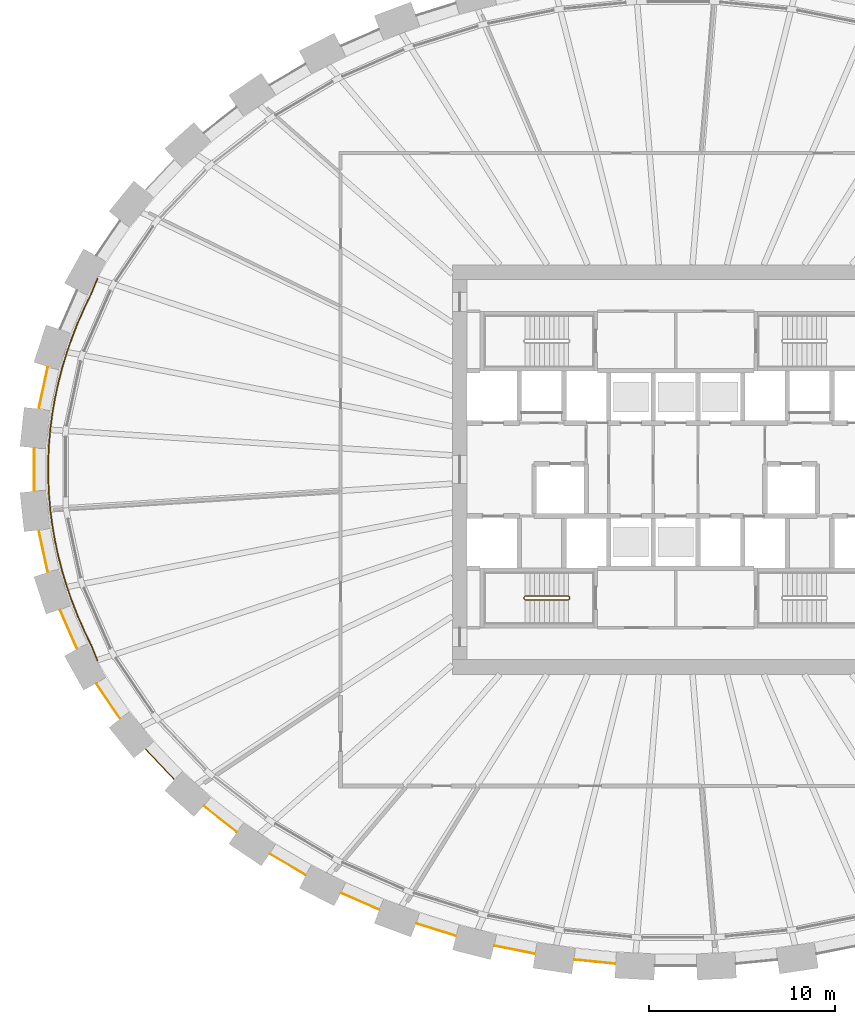
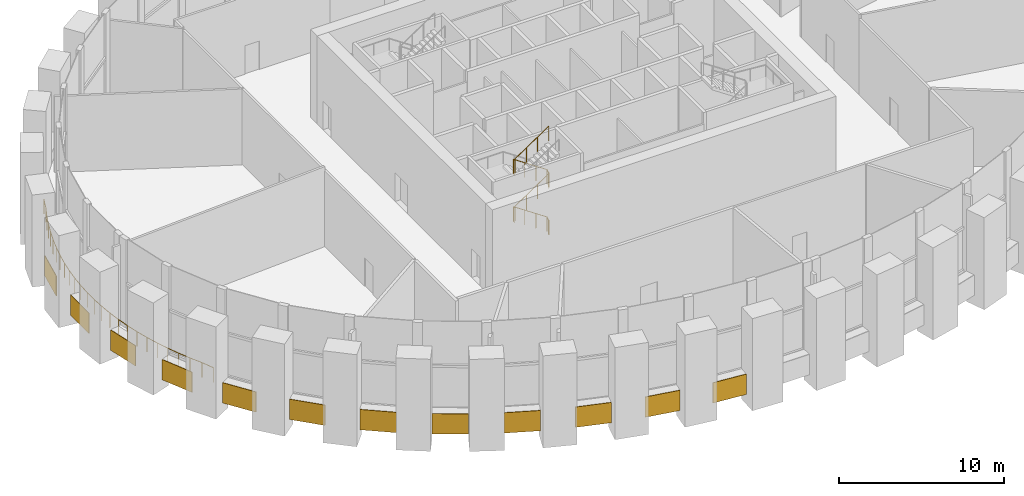
# One storey, part 12 of 16: 12 coverings, 2 railings.
"""IFC4 building model written with IfcOpenShell, lengths in metres."""

import ifcopenshell
import ifcopenshell.guid

model = None  # the IFC model being written
_history = None  # IfcOwnerHistory: only IFC2X3 demands one
_inside = {}  # id of a spatial element -> (the spatial element, [elements in it])
_under = {}  # id of a project, library or spatial element -> (it, [spatial elements below it])
_declared = {}  # id of a project -> (the project, [libraries it declares])
_typed = {}  # id of a type object -> (the type object, [elements of that type])
_made_of = {}  # id of a material, layer set ... -> (it, [elements and type objects made of it])


def new_model(schema):
    """Start an empty IFC model of exactly this schema.

    Asked for "IFC4X3", IfcOpenShell would pick the latest addendum, in which some entities
    have other attributes; the version numbers below select the first issue.
    IFC2X3 requires an IfcOwnerHistory on every rooted entity: one is made here for all.
    """
    global model, _history
    if schema == "IFC4X3":
        model = ifcopenshell.file(schema_version=(4, 3, 0, 0))
    else:
        model = ifcopenshell.file(schema=schema)
    _inside.clear()
    _under.clear()
    _declared.clear()
    _typed.clear()
    _made_of.clear()
    _history = None
    if model.schema == "IFC2X3":
        org = make("IfcOrganization", Name="unknown")
        user = make(
            "IfcPersonAndOrganization",
            ThePerson=make("IfcPerson", FamilyName="unknown"),
            TheOrganization=org,
        )
        app = make(
            "IfcApplication",
            ApplicationDeveloper=org,
            Version="unknown",
            ApplicationFullName="unknown",
            ApplicationIdentifier="unknown",
        )
        _history = make(
            "IfcOwnerHistory",
            OwningUser=user,
            OwningApplication=app,
            ChangeAction="ADDED",
            CreationDate=0,
        )
    return model


def make(cls, **values):
    """One entity of the class cls with the attributes given. An attribute that is None is left unset."""
    return model.create_entity(
        cls, **{name: value for name, value in values.items() if value is not None}
    )


def rooted(cls, **values):
    """An entity with a GlobalId (a new one), such as an element, a storey or a relation."""
    return make(cls, GlobalId=ifcopenshell.guid.new(), OwnerHistory=_history, **values)


def si_unit(unit_type, name, prefix=None):
    """IfcSIUnit, for example si_unit("LENGTHUNIT", "METRE", prefix="MILLI")."""
    return make("IfcSIUnit", UnitType=unit_type, Prefix=prefix, Name=name)


def assignment(units):
    """IfcUnitAssignment: the units of a project."""
    return None if units is None else make("IfcUnitAssignment", Units=units)


def point(xyz):
    """IfcCartesianPoint."""
    return None if xyz is None else make("IfcCartesianPoint", Coordinates=xyz)


def direction(xyz):
    """IfcDirection."""
    return None if xyz is None else make("IfcDirection", DirectionRatios=xyz)


def frame(location, z_axis=None, x_axis=None):
    """IfcAxis2Placement3D, a coordinate frame: its origin and axes. An axis left out is left unset."""
    return make(
        "IfcAxis2Placement3D",
        Location=point(location),
        Axis=direction(z_axis),
        RefDirection=direction(x_axis),
    )


def frame_2d(location, x_axis=None):
    """IfcAxis2Placement2D, a coordinate frame in the plane: its origin and x axis."""
    return make(
        "IfcAxis2Placement2D", Location=point(location), RefDirection=direction(x_axis)
    )


def origin():
    """The frame at (0, 0, 0) with its axes left unset."""
    return frame((0.0, 0.0, 0.0))


def origin_2d():
    """The frame at (0, 0) in the plane with its x axis left unset."""
    return frame_2d((0.0, 0.0))


def place(relative_to, where):
    """IfcLocalPlacement: puts the frame where relative to a parent placement (None: the world)."""
    return make(
        "IfcLocalPlacement", PlacementRelTo=relative_to, RelativePlacement=where
    )


def context(
    kind, dimensions, precision=None, world=None, true_north=None, identifier=None
):
    """IfcGeometricRepresentationContext, for example the 3D "Model" context."""
    return make(
        "IfcGeometricRepresentationContext",
        ContextIdentifier=identifier,
        ContextType=kind,
        CoordinateSpaceDimension=dimensions,
        Precision=precision,
        WorldCoordinateSystem=world,
        TrueNorth=true_north,
    )


def subcontext(parent, identifier, kind, view, scale=None):
    """IfcGeometricRepresentationSubContext, for example "Body" below "Model"."""
    return make(
        "IfcGeometricRepresentationSubContext",
        ContextIdentifier=identifier,
        ContextType=kind,
        ParentContext=parent,
        TargetScale=scale,
        TargetView=view,
    )


def project(units=None, contexts=None):
    """IfcProject with its units and contexts."""
    return rooted(
        "IfcProject",
        Name="project",
        RepresentationContexts=contexts,
        UnitsInContext=assignment(units),
    )


def spatial(cls, under=None, at=None, **own):
    """A site, building, storey or space (cls), placed at a placement, below another one or the project."""
    s = rooted(cls, ObjectPlacement=at, **own)
    if under is not None:
        _under.setdefault(under.id(), (under, []))[1].append(s)
    return s


def profile(cls, at=None, kind="AREA", **sizes):
    """A parametric profile (cls). Its sizes go by their IFC names, for example OverallWidth=200.0."""
    return make(cls, ProfileType=kind, Position=at, **sizes)


def rectangle(**sizes):
    """IfcRectangleProfileDef."""
    return profile("IfcRectangleProfileDef", **sizes)


def circle(**sizes):
    """IfcCircleProfileDef."""
    return profile("IfcCircleProfileDef", **sizes)


def extrude(swept, where, along, depth):
    """IfcExtrudedAreaSolid: the profile swept, set in the frame where, extruded along a direction by depth."""
    return make(
        "IfcExtrudedAreaSolid",
        SweptArea=swept,
        Position=where,
        ExtrudedDirection=direction(along),
        Depth=depth,
    )


def shape(context_of_items, identifier, shape_type, items):
    """IfcShapeRepresentation: the items that make up one representation, for example the "Body"."""
    return make(
        "IfcShapeRepresentation",
        ContextOfItems=context_of_items,
        RepresentationIdentifier=identifier,
        RepresentationType=shape_type,
        Items=items,
    )


def source(mapping_origin, context_of_items, identifier, shape_type, items):
    """IfcRepresentationMap: a shape defined once, which mapped items show again and again."""
    return make(
        "IfcRepresentationMap",
        MappingOrigin=mapping_origin,
        MappedRepresentation=shape(context_of_items, identifier, shape_type, items),
    )


def transform(
    local_origin,
    x_axis=None,
    y_axis=None,
    z_axis=None,
    scale=None,
    scale2=None,
    scale3=None,
    uniform=True,
):
    """IfcCartesianTransformationOperator3D, or its non-uniform kind. x_axis, y_axis, z_axis: its Axis1, 2, 3."""
    if uniform:
        return make(
            "IfcCartesianTransformationOperator3D",
            Axis1=direction(x_axis),
            Axis2=direction(y_axis),
            LocalOrigin=point(local_origin),
            Scale=scale,
            Axis3=direction(z_axis),
        )
    return make(
        "IfcCartesianTransformationOperator3DnonUniform",
        Axis1=direction(x_axis),
        Axis2=direction(y_axis),
        LocalOrigin=point(local_origin),
        Scale=scale,
        Axis3=direction(z_axis),
        Scale2=scale2,
        Scale3=scale3,
    )


def mapped(mapping_source, mapping_target):
    """IfcMappedItem: shows the shape of a source again, moved by a transform."""
    return make(
        "IfcMappedItem", MappingSource=mapping_source, MappingTarget=mapping_target
    )


def material(Name=None, Category=None):
    """IfcMaterial."""
    return make("IfcMaterial", Name=Name, Category=Category)


def layer(
    of_material, thickness, ventilated=None, Name=None, Category=None, Priority=None
):
    """IfcMaterialLayer: one layer of a wall or slab, of a material (None: an air gap)."""
    return make(
        "IfcMaterialLayer",
        Material=of_material,
        LayerThickness=thickness,
        IsVentilated=ventilated,
        Name=Name,
        Category=Category,
        Priority=Priority,
    )


def layer_set(layers, Name=None):
    """IfcMaterialLayerSet."""
    return make("IfcMaterialLayerSet", MaterialLayers=layers, LayerSetName=Name)


def made_of(thing, what):
    """Note that an element or type object is made of a material, layer set ...; save() writes the relation."""
    if what is not None:
        _made_of.setdefault(what.id(), (what, []))[1].append(thing)
    return thing


def type_object(cls, material=None, **own):
    """A type object (cls), such as IfcWallType, which elements share."""
    return made_of(rooted(cls, **own), material)


def element(
    cls,
    number,
    at=None,
    inside=None,
    cuts=None,
    type_object=None,
    material=None,
    context=None,
    identifier="Body",
    shape_type=None,
    held_by="IfcProductDefinitionShape",
    body=None,
    shapes=None,
    **own,
):
    """One element of the class cls, such as IfcWall. Its Tag is "e" and its number.

    at: its placement. inside: the storey or other place that contains it. cuts: it is an
    opening in that element (IfcRelVoidsElement). A single representation is given by context,
    identifier, shape_type and body (its items); several are given by shapes. held_by: the class
    of the entity that holds the representations. save() writes the other relations.
    """
    e = rooted(cls, Tag="e%d" % number, ObjectPlacement=at, **own)
    if body is not None:
        shapes = [shape(context, identifier, shape_type, body)]
    if shapes is not None:
        e.Representation = make(held_by, Representations=shapes)
    if inside is not None:
        _inside.setdefault(inside.id(), (inside, []))[1].append(e)
    if cuts is not None:
        rooted(
            "IfcRelVoidsElement", RelatingBuildingElement=cuts, RelatedOpeningElement=e
        )
    if type_object is not None:
        _typed.setdefault(type_object.id(), (type_object, []))[1].append(e)
    return made_of(e, material)


def aggregate(whole, parts):
    """IfcRelAggregates: a whole, such as a stair, and the parts it consists of."""
    return rooted("IfcRelAggregates", RelatingObject=whole, RelatedObjects=parts)


def save(model, path):
    """Write the relations noted so far, then the file.

    IfcRelAggregates (storeys below a building ...), IfcRelContainedInSpatialStructure (elements
    in a storey), IfcRelDefinesByType, IfcRelAssociatesMaterial and IfcRelDeclares: one each for
    every whole, place, type object, material and project.
    """
    for whole, parts in _under.values():
        aggregate(whole, parts)
    for where, things in _inside.values():
        rooted(
            "IfcRelContainedInSpatialStructure",
            RelatedElements=things,
            RelatingStructure=where,
        )
    for kind, things in _typed.values():
        rooted("IfcRelDefinesByType", RelatedObjects=things, RelatingType=kind)
    for what, things in _made_of.values():
        rooted("IfcRelAssociatesMaterial", RelatedObjects=things, RelatingMaterial=what)
    for by, libraries in _declared.values():
        rooted("IfcRelDeclares", RelatingContext=by, RelatedDefinitions=libraries)
    model.write(path)


model = new_model("IFC4")

# Units and contexts
model_context = context("Model", 3, precision=1e-05, world=origin(), true_north=direction((0.0, 1.0)))
body_context = subcontext(model_context, "Body", "Model", "MODEL_VIEW")
ifc_project = project(units=[si_unit("LENGTHUNIT", "METRE"), si_unit("AREAUNIT", "SQUARE_METRE"), si_unit("VOLUMEUNIT", "CUBIC_METRE"), si_unit("PLANEANGLEUNIT", "RADIAN"), si_unit("MASSUNIT", "GRAM", prefix="KILO")], contexts=[model_context])

# Site, building, storey
site_placement = place(None, origin())
site = spatial("IfcSite", under=ifc_project, at=site_placement, CompositionType="ELEMENT")
building_placement = place(site_placement, origin())
building = spatial("IfcBuilding", under=site, at=building_placement, Name="Embergate Tower", CompositionType="ELEMENT")
storey_placement = place(building_placement, frame((0.0, 0.0, 234.60009765625)))
storey = spatial("IfcBuildingStorey", under=building, at=storey_placement, Name="L54", CompositionType="ELEMENT", Elevation=234.60009765625)

# Coverings
ifc_material_1 = material(Name="Terracotta rainscreen on insulated backing", Category="masonry")
ifc_layer = layer(ifc_material_1, 0.0400390625)
ifc_layer_set = layer_set([ifc_layer], Name="Terracotta rainscreen on insulated backing")
covering_type = type_object("IfcCoveringType", Name="Terracotta rainscreen band", PredefinedType="CLADDING", material=ifc_layer_set)
shared_shape_1 = source(origin(), body_context, "Body", "SweptSolid", [
    extrude(rectangle(XDim=2.256591796875, YDim=0.0400390625, at=origin_2d()), origin(), (0.0, 0.0, 1.0), 1.5),
])
for number, where, z_axis, x_axis, name in (
    (1, (-33.97021484375, 4.387451171875, -0.75), (0.0, 0.0, 1.0), (-0.210497353256, -0.977594427292, 0.0), "Rainscreen band 21"),
    (2, (-33.97021484375, -4.387451171875, -0.75), (0.0, 0.0, 1.0), (0.210497353256, -0.977594427292, 0.0), "Rainscreen band 23"),
):
    element("IfcCovering", number, at=place(storey_placement, frame(where, z_axis=z_axis, x_axis=x_axis)), inside=storey, type_object=covering_type, Name=name, PredefinedType="CLADDING", context=body_context, shape_type="MappedRepresentation", body=[
        mapped(shared_shape_1, transform((0.0, 0.0, 0.0))),
    ])
shared_shape_2 = source(origin(), body_context, "Body", "SweptSolid", [
    extrude(rectangle(XDim=2.252685546875, YDim=0.0400390625, at=origin_2d()), origin(), (0.0, 0.0, 1.0), 1.5),
])
covering_1_placement = place(storey_placement, frame((-32.614501953125, -8.5810546875, -0.75), z_axis=(0.0, 0.0, 1.0), x_axis=(0.401727222685, -0.915759378087, 0.0)))
element("IfcCovering", 3, at=covering_1_placement, inside=storey, type_object=covering_type, Name="Rainscreen band 24", PredefinedType="CLADDING", context=body_context, shape_type="MappedRepresentation", body=[
    mapped(shared_shape_2, transform((0.0, 0.0, 0.0))),
])
shared_shape_3 = source(origin(), body_context, "Body", "SweptSolid", [
    extrude(rectangle(XDim=2.248046875, YDim=0.0400390625, at=origin_2d()), origin(), (0.0, 0.0, 1.0), 1.5),
])
covering_2_placement = place(storey_placement, frame((-30.485595703125, -12.431396484375, -0.75), z_axis=(0.0, 0.0, 1.0), x_axis=(0.562273908619, -0.826951057612, 0.0)))
element("IfcCovering", 4, at=covering_2_placement, inside=storey, type_object=covering_type, Name="Rainscreen band 25", PredefinedType="CLADDING", context=body_context, shape_type="MappedRepresentation", body=[
    mapped(shared_shape_3, transform((0.0, 0.0, 0.0))),
])
shared_shape_4 = source(origin(), body_context, "Body", "SweptSolid", [
    extrude(rectangle(XDim=2.24072265625, YDim=0.0400390625, at=origin_2d()), origin(), (0.0, 0.0, 1.0), 1.5),
])
covering_3_placement = place(storey_placement, frame((-27.7119140625, -15.83349609375, -0.75), z_axis=(0.0, 0.0, 1.0), x_axis=(0.690401506578, -0.723426402417, 0.0)))
element("IfcCovering", 5, at=covering_3_placement, inside=storey, type_object=covering_type, Name="Rainscreen band 26", PredefinedType="CLADDING", context=body_context, shape_type="MappedRepresentation", body=[
    mapped(shared_shape_4, transform((0.0, 0.0, 0.0))),
])
shared_shape_5 = source(origin(), body_context, "Body", "SweptSolid", [
    extrude(rectangle(XDim=2.23583984375, YDim=0.0400390625, at=origin_2d()), origin(), (0.0, 0.0, 1.0), 1.5),
])
covering_4_placement = place(storey_placement, frame((-24.46630859375, -18.772705078125, -0.75), z_axis=(0.0, 0.0, 1.0), x_axis=(0.788532692603, -0.614992839549, 0.0)))
element("IfcCovering", 6, at=covering_4_placement, inside=storey, type_object=covering_type, Name="Rainscreen band 27", PredefinedType="CLADDING", context=body_context, shape_type="MappedRepresentation", body=[
    mapped(shared_shape_5, transform((0.0, 0.0, 0.0))),
])
shared_shape_6 = source(origin(), body_context, "Body", "SweptSolid", [
    extrude(rectangle(XDim=2.23046875, YDim=0.0400390625, at=origin_2d()), origin(), (0.0, 0.0, 1.0), 1.5),
])
covering_5_placement = place(storey_placement, frame((-20.840576171875, -21.212890625, -0.75), z_axis=(0.0, 0.0, 1.0), x_axis=(0.862164602033, -0.506628265104, 0.0)))
element("IfcCovering", 7, at=covering_5_placement, inside=storey, type_object=covering_type, Name="Rainscreen band 28", PredefinedType="CLADDING", context=body_context, shape_type="MappedRepresentation", body=[
    mapped(shared_shape_6, transform((0.0, 0.0, 0.0))),
])
shared_shape_7 = source(origin(), body_context, "Body", "SweptSolid", [
    extrude(rectangle(XDim=2.227294921875, YDim=0.0400390625, at=origin_2d()), origin(), (0.0, 0.0, 1.0), 1.5),
])
covering_6_placement = place(storey_placement, frame((-16.95458984375, -23.1962890625, -0.75), z_axis=(0.0, 0.0, 1.0), x_axis=(0.916311714041, -0.400465782199, 0.0)))
element("IfcCovering", 8, at=covering_6_placement, inside=storey, type_object=covering_type, Name="Rainscreen band 29", PredefinedType="CLADDING", context=body_context, shape_type="MappedRepresentation", body=[
    mapped(shared_shape_7, transform((0.0, 0.0, 0.0))),
])
shared_shape_8 = source(origin(), body_context, "Body", "SweptSolid", [
    extrude(rectangle(XDim=2.2255859375, YDim=0.0400390625, at=origin_2d()), origin(), (0.0, 0.0, 1.0), 1.5),
])
covering_7_placement = place(storey_placement, frame((-12.87158203125, -24.719482421875, -0.75), z_axis=(0.0, 0.0, 1.0), x_axis=(0.954743670356, -0.297429863859, 0.0)))
element("IfcCovering", 9, at=covering_7_placement, inside=storey, type_object=covering_type, Name="Rainscreen band 30", PredefinedType="CLADDING", context=body_context, shape_type="MappedRepresentation", body=[
    mapped(shared_shape_8, transform((0.0, 0.0, 0.0))),
])
shared_shape_9 = source(origin(), body_context, "Body", "SweptSolid", [
    extrude(rectangle(XDim=2.223388671875, YDim=0.0400390625, at=origin_2d()), origin(), (0.0, 0.0, 1.0), 1.5),
])
covering_8_placement = place(storey_placement, frame((-8.65185546875, -25.79736328125, -0.75), z_axis=(0.0, 0.0, 1.0), x_axis=(0.980494092827, -0.196548553624, 0.0)))
element("IfcCovering", 10, at=covering_8_placement, inside=storey, type_object=covering_type, Name="Rainscreen band 31", PredefinedType="CLADDING", context=body_context, shape_type="MappedRepresentation", body=[
    mapped(shared_shape_9, transform((0.0, 0.0, 0.0))),
])
shared_shape_10 = source(origin(), body_context, "Body", "SweptSolid", [
    extrude(rectangle(XDim=2.2236328125, YDim=0.0400390625, at=origin_2d()), origin(), (0.0, 0.0, 1.0), 1.5),
])
covering_9_placement = place(storey_placement, frame((-4.346923828125, -26.4384765625, -0.75), z_axis=(0.0, 0.0, 1.0), x_axis=(0.995183015799, -0.098034509565, 0.0)))
element("IfcCovering", 11, at=covering_9_placement, inside=storey, type_object=covering_type, Name="Rainscreen band 32", PredefinedType="CLADDING", context=body_context, shape_type="MappedRepresentation", body=[
    mapped(shared_shape_10, transform((0.0, 0.0, 0.0))),
])
shared_shape_11 = source(origin(), body_context, "Body", "SweptSolid", [
    extrude(rectangle(XDim=2.261962890625, YDim=0.0400390625, at=origin_2d()), origin(), (0.0, 0.0, 1.0), 1.5),
])
covering_10_placement = place(storey_placement, frame((-34.45703125, 0.0, -0.75), z_axis=(0.0, 0.0, 1.0), x_axis=(0.0, -1.0, 0.0)))
element("IfcCovering", 12, at=covering_10_placement, inside=storey, type_object=covering_type, Name="Rainscreen band 22", PredefinedType="CLADDING", context=body_context, shape_type="MappedRepresentation", body=[
    mapped(shared_shape_11, transform((0.0, 0.0, 0.0))),
])

# Railings
ifc_material_2 = material(Name="Stair guard 1100")
railing_type_1 = type_object("IfcRailingType", Name="Stair guard 1100", PredefinedType="GUARDRAIL", material=ifc_material_2)
shared_shape_12 = source(origin(), body_context, "Body", "SweptSolid", [
    extrude(circle(Radius=0.02392578125, at=origin_2d()), frame((0.0, 0.0, 1.076171875), z_axis=(0.0, 1.0, 0.0), x_axis=(-1.0, 0.0, 0.0)), (0.0, 0.0, 1.0), 0.099853515625),
    extrude(circle(Radius=0.02392578125, at=origin_2d()), frame((0.0, 0.099853515625, 1.076171875), z_axis=(-0.265383341853, 0.265383341853, 0.926899867156), x_axis=(-0.707106781187, -0.707106781187, 0.0)), (0.0, 0.0, 1.0), 0.1884765625),
    extrude(circle(Radius=0.02392578125, at=origin_2d()), frame((-0.050048828125, 0.14990234375, 1.2509765625), z_axis=(-0.829565388462, 0.0, 0.558409586474), x_axis=(0.0, -1.0, 0.0)), (0.0, 0.0, 1.0), 2.82080078125),
    extrude(circle(Radius=0.02392578125, at=origin_2d()), frame((-2.39013671875, 0.14990234375, 2.826171875), z_axis=(-0.705375805398, -0.708833529934, 0.0), x_axis=(0.708833529934, -0.705375805398, 0.0)), (0.0, 0.0, 1.0), 0.070556640625),
    extrude(circle(Radius=0.02392578125, at=origin_2d()), frame((-2.43994140625, 0.099853515625, 2.826171875), z_axis=(0.0, -1.0, 0.0), x_axis=(1.0, 0.0, 0.0)), (0.0, 0.0, 1.0), 0.099853515625),
    extrude(circle(Radius=0.02392578125, at=origin_2d()), frame((-2.43994140625, 0.0, 2.826171875), z_axis=(0.264179342666, -0.265474339444, 0.927217692888), x_axis=(0.708833529934, 0.705375805398, 0.0)), (0.0, 0.0, 1.0), 0.1884765625),
    extrude(circle(Radius=0.02392578125, at=origin_2d()), frame((-2.39013671875, -0.050048828125, 3.0009765625), z_axis=(0.829565388462, 0.0, 0.558409586474), x_axis=(0.0, 1.0, 0.0)), (0.0, 0.0, 1.0), 2.82080078125),
    extrude(circle(Radius=0.02392578125, at=origin_2d()), frame((-0.050048828125, -0.050048828125, 4.576171875), z_axis=(0.707106781187, 0.707106781187, 0.0), x_axis=(-0.707106781187, 0.707106781187, 0.0)), (0.0, 0.0, 1.0), 0.07080078125),
    extrude(circle(Radius=0.02392578125, at=origin_2d()), frame((0.0, 0.0, 4.576171875), z_axis=(0.0, 1.0, 0.0), x_axis=(-1.0, 0.0, 0.0)), (0.0, 0.0, 1.0), 0.099853515625),
    extrude(circle(Radius=0.02392578125, at=origin_2d()), frame((0.0, 0.099853515625, 4.576171875), z_axis=(-0.265383341853, 0.265383341853, 0.926899867156), x_axis=(-0.707106781187, -0.707106781187, 0.0)), (0.0, 0.0, 1.0), 0.1884765625),
    extrude(circle(Radius=0.02392578125, at=origin_2d()), frame((-0.050048828125, 0.14990234375, 4.7509765625), z_axis=(-0.829565388462, 0.0, 0.558409586474), x_axis=(0.0, -1.0, 0.0)), (0.0, 0.0, 1.0), 2.82080078125),
    extrude(circle(Radius=0.02392578125, at=origin_2d()), frame((-2.39013671875, 0.14990234375, 6.326171875), z_axis=(-0.705375805398, -0.708833529934, 0.0), x_axis=(0.708833529934, -0.705375805398, 0.0)), (0.0, 0.0, 1.0), 0.070556640625),
    extrude(circle(Radius=0.02392578125, at=origin_2d()), frame((-2.43994140625, 0.099853515625, 6.326171875), z_axis=(0.0, -1.0, 0.0), x_axis=(1.0, 0.0, 0.0)), (0.0, 0.0, 1.0), 0.099853515625),
    extrude(circle(Radius=0.02392578125, at=origin_2d()), frame((-2.43994140625, 0.0, 6.326171875), z_axis=(0.264179342666, -0.265474339444, 0.927217692888), x_axis=(0.708833529934, 0.705375805398, 0.0)), (0.0, 0.0, 1.0), 0.1884765625),
    extrude(circle(Radius=0.02392578125, at=origin_2d()), frame((-2.39013671875, -0.050048828125, 6.5009765625), z_axis=(0.829565388462, 0.0, 0.558409586474), x_axis=(0.0, 1.0, 0.0)), (0.0, 0.0, 1.0), 2.82080078125),
    extrude(circle(Radius=0.02099609375, at=origin_2d()), origin(), (0.0, 0.0, 1.0), 1.052001953125),
    extrude(circle(Radius=0.02099609375, at=origin_2d()), frame((0.0, 0.099853515625, 0.0)), (0.0, 0.0, 1.0), 1.052001953125),
    extrude(circle(Radius=0.02099609375, at=origin_2d()), frame((-0.050048828125, 0.14990234375, 0.1748046875)), (0.0, 0.0, 1.0), 1.052001953125),
    extrude(circle(Radius=0.02099609375, at=origin_2d()), frame((-0.830078125, 0.14990234375, 0.699951171875)), (0.0, 0.0, 1.0), 1.052001953125),
    extrude(circle(Radius=0.02099609375, at=origin_2d()), frame((-1.610107421875, 0.14990234375, 1.224853515625)), (0.0, 0.0, 1.0), 1.052001953125),
    extrude(circle(Radius=0.02099609375, at=origin_2d()), frame((-2.39013671875, 0.14990234375, 1.75)), (0.0, 0.0, 1.0), 1.052001953125),
    extrude(circle(Radius=0.02099609375, at=origin_2d()), frame((-2.43994140625, 0.099853515625, 1.75)), (0.0, 0.0, 1.0), 1.052001953125),
    extrude(circle(Radius=0.02099609375, at=origin_2d()), frame((-2.43994140625, 0.0, 1.75)), (0.0, 0.0, 1.0), 1.052001953125),
    extrude(circle(Radius=0.02099609375, at=origin_2d()), frame((-2.39013671875, -0.050048828125, 1.9248046875)), (0.0, 0.0, 1.0), 1.052001953125),
    extrude(circle(Radius=0.02099609375, at=origin_2d()), frame((-1.610107421875, -0.050048828125, 2.449951171875)), (0.0, 0.0, 1.0), 1.052001953125),
    extrude(circle(Radius=0.02099609375, at=origin_2d()), frame((-0.830078125, -0.050048828125, 2.974853515625)), (0.0, 0.0, 1.0), 1.052001953125),
    extrude(circle(Radius=0.02099609375, at=origin_2d()), frame((-0.050048828125, -0.050048828125, 3.5)), (0.0, 0.0, 1.0), 1.052001953125),
    extrude(circle(Radius=0.02099609375, at=origin_2d()), frame((0.0, 0.0, 3.5)), (0.0, 0.0, 1.0), 1.052001953125),
    extrude(circle(Radius=0.02099609375, at=origin_2d()), frame((0.0, 0.099853515625, 3.5)), (0.0, 0.0, 1.0), 1.052001953125),
    extrude(circle(Radius=0.02099609375, at=origin_2d()), frame((-0.050048828125, 0.14990234375, 3.6748046875)), (0.0, 0.0, 1.0), 1.052001953125),
    extrude(circle(Radius=0.02099609375, at=origin_2d()), frame((-0.830078125, 0.14990234375, 4.199951171875)), (0.0, 0.0, 1.0), 1.052001953125),
    extrude(circle(Radius=0.02099609375, at=origin_2d()), frame((-1.610107421875, 0.14990234375, 4.724853515625)), (0.0, 0.0, 1.0), 1.052001953125),
    extrude(circle(Radius=0.02099609375, at=origin_2d()), frame((-2.39013671875, 0.14990234375, 5.25)), (0.0, 0.0, 1.0), 1.052001953125),
    extrude(circle(Radius=0.02099609375, at=origin_2d()), frame((-2.43994140625, 0.099853515625, 5.25)), (0.0, 0.0, 1.0), 1.052001953125),
    extrude(circle(Radius=0.02099609375, at=origin_2d()), frame((-2.43994140625, 0.0, 5.25)), (0.0, 0.0, 1.0), 1.052001953125),
    extrude(circle(Radius=0.02099609375, at=origin_2d()), frame((-2.39013671875, -0.050048828125, 5.4248046875)), (0.0, 0.0, 1.0), 1.052001953125),
    extrude(circle(Radius=0.02099609375, at=origin_2d()), frame((-1.610107421875, -0.050048828125, 5.949951171875)), (0.0, 0.0, 1.0), 1.052001953125),
    extrude(circle(Radius=0.02099609375, at=origin_2d()), frame((-0.830078125, -0.050048828125, 6.474853515625)), (0.0, 0.0, 1.0), 1.052001953125),
    extrude(circle(Radius=0.02099609375, at=origin_2d()), frame((-0.050048828125, -0.050048828125, 7.0)), (0.0, 0.0, 1.0), 1.052001953125),
])
railing_1_placement = place(storey_placement, frame((-5.699951171875, -6.949951171875, 0.0)))
element("IfcRailing", 13, at=railing_1_placement, inside=storey, type_object=railing_type_1, Name="L54 ST3 stair guard 1", PredefinedType="GUARDRAIL", context=body_context, shape_type="MappedRepresentation", body=[
    mapped(shared_shape_12, transform((0.0, 0.0, 0.0))),
])
ifc_material_3 = material(Name="Stainless steel", Category="steel")
railing_type_2 = type_object("IfcRailingType", Name="Edge guard 1100", PredefinedType="GUARDRAIL", material=ifc_material_3)
shared_shape_13 = source(origin(), body_context, "Body", "SweptSolid", [
    extrude(circle(Radius=0.02490234375, at=origin_2d()), frame((0.0, 0.0, 1.0751953125), z_axis=(-0.376650082934, -0.926355609378, 0.0), x_axis=(0.926355609378, -0.376650082934, 0.0)), (0.0, 0.0, 1.0), 0.86328125),
    extrude(circle(Radius=0.02490234375, at=origin_2d()), frame((-0.3251953125, -0.7998046875, 1.0751953125), z_axis=(-0.437304357264, -0.899313571074, 0.0), x_axis=(0.899313571074, -0.437304357264, 0.0)), (0.0, 0.0, 1.0), 0.85986328125),
    extrude(circle(Radius=0.02490234375, at=origin_2d()), frame((-0.701171875, -1.572998046875, 1.0751953125), z_axis=(-0.401703561957, -0.915769757259, 0.0), x_axis=(0.915769757259, -0.401703561957, 0.0)), (0.0, 0.0, 1.0), 0.85400390625),
    extrude(circle(Radius=0.02490234375, at=origin_2d()), frame((-1.044189453125, -2.35498046875, 1.0751953125), z_axis=(-0.366328396599, -0.930485629038, 0.0), x_axis=(0.930485629038, -0.366328396599, 0.0)), (0.0, 0.0, 1.0), 0.84912109375),
    extrude(circle(Radius=0.02490234375, at=origin_2d()), frame((-1.355224609375, -3.14501953125, 1.0751953125), z_axis=(-0.329216206632, -0.944254568054, 0.0), x_axis=(0.944254568054, -0.329216206632, 0.0)), (0.0, 0.0, 1.0), 0.843994140625),
    extrude(circle(Radius=0.02490234375, at=origin_2d()), frame((-1.633056640625, -3.94189453125, 1.0751953125), z_axis=(-0.290337888391, -0.956924192695, 0.0), x_axis=(0.956924192695, -0.290337888391, 0.0)), (0.0, 0.0, 1.0), 0.861083984375),
    extrude(circle(Radius=0.02490234375, at=origin_2d()), frame((-1.883056640625, -4.765869140625, 1.0751953125), z_axis=(-0.25083370557, -0.968030191756, 0.0), x_axis=(0.968030191756, -0.25083370557, 0.0)), (0.0, 0.0, 1.0), 0.857421875),
    extrude(circle(Radius=0.02490234375, at=origin_2d()), frame((-2.09814453125, -5.595947265625, 1.0751953125), z_axis=(-0.210896848145, -0.97750832193, 0.0), x_axis=(0.97750832193, -0.210896848145, 0.0)), (0.0, 0.0, 1.0), 0.853271484375),
    extrude(circle(Radius=0.02490234375, at=origin_2d()), frame((-2.278076171875, -6.429931640625, 1.0751953125), z_axis=(-0.169234496585, -0.985575814012, 0.0), x_axis=(0.985575814012, -0.169234496585, 0.0)), (0.0, 0.0, 1.0), 0.85107421875),
    extrude(circle(Radius=0.02490234375, at=origin_2d()), frame((-2.422119140625, -7.268798828125, 1.0751953125), z_axis=(-0.128245044935, -0.991742511164, 0.0), x_axis=(0.991742511164, -0.128245044935, 0.0)), (0.0, 0.0, 1.0), 0.84912109375),
    extrude(circle(Radius=0.02490234375, at=origin_2d()), frame((-2.531005859375, -8.11083984375, 1.0751953125), z_axis=(-0.08536065485, -0.996350118484, 0.0), x_axis=(0.996350118484, -0.08536065485, 0.0)), (0.0, 0.0, 1.0), 0.855224609375),
    extrude(circle(Radius=0.02490234375, at=origin_2d()), frame((-2.60400390625, -8.962890625, 1.0751953125), z_axis=(-0.042320379373, -0.999104091419, 0.0), x_axis=(0.999104091419, -0.042320379373, 0.0)), (0.0, 0.0, 1.0), 0.853759765625),
    extrude(circle(Radius=0.02490234375, at=origin_2d()), frame((-2.64013671875, -9.81591796875, 1.0751953125), z_axis=(0.0, -1.0, 0.0), x_axis=(1.0, 0.0, 0.0)), (0.0, 0.0, 1.0), 0.85400390625),
    extrude(circle(Radius=0.02490234375, at=origin_2d()), frame((-2.64013671875, -10.669921875, 1.0751953125), z_axis=(0.042320379373, -0.999104091419, 0.0), x_axis=(0.999104091419, 0.042320379373, 0.0)), (0.0, 0.0, 1.0), 0.853759765625),
    extrude(circle(Radius=0.02490234375, at=origin_2d()), frame((-2.60400390625, -11.52294921875, 1.0751953125), z_axis=(0.08536065485, -0.996350118484, 0.0), x_axis=(0.996350118484, 0.08536065485, 0.0)), (0.0, 0.0, 1.0), 0.855224609375),
    extrude(circle(Radius=0.02490234375, at=origin_2d()), frame((-2.531005859375, -12.375, 1.0751953125), z_axis=(0.128245044935, -0.991742511164, 0.0), x_axis=(0.991742511164, 0.128245044935, 0.0)), (0.0, 0.0, 1.0), 0.84912109375),
    extrude(circle(Radius=0.02490234375, at=origin_2d()), frame((-2.422119140625, -13.217041015625, 1.0751953125), z_axis=(0.169234496585, -0.985575814012, 0.0), x_axis=(0.985575814012, 0.169234496585, 0.0)), (0.0, 0.0, 1.0), 0.85107421875),
    extrude(circle(Radius=0.02490234375, at=origin_2d()), frame((-2.278076171875, -14.055908203125, 1.0751953125), z_axis=(0.210896848145, -0.97750832193, 0.0), x_axis=(0.97750832193, 0.210896848145, 0.0)), (0.0, 0.0, 1.0), 0.853271484375),
    extrude(circle(Radius=0.02490234375, at=origin_2d()), frame((-2.09814453125, -14.889892578125, 1.0751953125), z_axis=(0.25083370557, -0.968030191756, 0.0), x_axis=(0.968030191756, 0.25083370557, 0.0)), (0.0, 0.0, 1.0), 0.857421875),
    extrude(circle(Radius=0.02490234375, at=origin_2d()), frame((-1.883056640625, -15.719970703125, 1.0751953125), z_axis=(0.290337888391, -0.956924192695, 0.0), x_axis=(0.956924192695, 0.290337888391, 0.0)), (0.0, 0.0, 1.0), 0.861083984375),
    extrude(circle(Radius=0.02490234375, at=origin_2d()), frame((-1.633056640625, -16.5439453125, 1.0751953125), z_axis=(0.329216206632, -0.944254568054, 0.0), x_axis=(0.944254568054, 0.329216206632, 0.0)), (0.0, 0.0, 1.0), 0.843994140625),
    extrude(circle(Radius=0.02490234375, at=origin_2d()), frame((-1.355224609375, -17.3408203125, 1.0751953125), z_axis=(0.366328396599, -0.930485629038, 0.0), x_axis=(0.930485629038, 0.366328396599, 0.0)), (0.0, 0.0, 1.0), 0.84912109375),
    extrude(circle(Radius=0.02490234375, at=origin_2d()), frame((-1.044189453125, -18.130859375, 1.0751953125), z_axis=(0.401703561957, -0.915769757259, 0.0), x_axis=(0.915769757259, 0.401703561957, 0.0)), (0.0, 0.0, 1.0), 0.85400390625),
    extrude(circle(Radius=0.02490234375, at=origin_2d()), frame((-0.701171875, -18.912841796875, 1.0751953125), z_axis=(0.437304357264, -0.899313571074, 0.0), x_axis=(0.899313571074, 0.437304357264, 0.0)), (0.0, 0.0, 1.0), 0.85986328125),
    extrude(circle(Radius=0.02490234375, at=origin_2d()), frame((-0.3251953125, -19.68603515625, 1.0751953125), z_axis=(0.376650082934, -0.926355609378, 0.0), x_axis=(0.926355609378, 0.376650082934, 0.0)), (0.0, 0.0, 1.0), 0.86328125),
    extrude(circle(Radius=0.02490234375, at=origin_2d()), origin(), (0.0, 0.0, 1.0), 1.050048828125),
    extrude(circle(Radius=0.02490234375, at=origin_2d()), frame((-0.3251953125, -0.7998046875, 0.0)), (0.0, 0.0, 1.0), 1.050048828125),
    extrude(circle(Radius=0.02490234375, at=origin_2d()), frame((-0.701171875, -1.572998046875, 0.0)), (0.0, 0.0, 1.0), 1.050048828125),
    extrude(circle(Radius=0.02490234375, at=origin_2d()), frame((-1.044189453125, -2.35498046875, 0.0)), (0.0, 0.0, 1.0), 1.050048828125),
    extrude(circle(Radius=0.02490234375, at=origin_2d()), frame((-1.355224609375, -3.14501953125, 0.0)), (0.0, 0.0, 1.0), 1.050048828125),
    extrude(circle(Radius=0.02490234375, at=origin_2d()), frame((-1.633056640625, -3.94189453125, 0.0)), (0.0, 0.0, 1.0), 1.050048828125),
    extrude(circle(Radius=0.02490234375, at=origin_2d()), frame((-1.883056640625, -4.765869140625, 0.0)), (0.0, 0.0, 1.0), 1.050048828125),
    extrude(circle(Radius=0.02490234375, at=origin_2d()), frame((-2.09814453125, -5.595947265625, 0.0)), (0.0, 0.0, 1.0), 1.050048828125),
    extrude(circle(Radius=0.02490234375, at=origin_2d()), frame((-2.278076171875, -6.429931640625, 0.0)), (0.0, 0.0, 1.0), 1.050048828125),
    extrude(circle(Radius=0.02490234375, at=origin_2d()), frame((-2.422119140625, -7.268798828125, 0.0)), (0.0, 0.0, 1.0), 1.050048828125),
    extrude(circle(Radius=0.02490234375, at=origin_2d()), frame((-2.531005859375, -8.11083984375, 0.0)), (0.0, 0.0, 1.0), 1.050048828125),
    extrude(circle(Radius=0.02490234375, at=origin_2d()), frame((-2.60400390625, -8.962890625, 0.0)), (0.0, 0.0, 1.0), 1.050048828125),
    extrude(circle(Radius=0.02490234375, at=origin_2d()), frame((-2.64013671875, -9.81591796875, 0.0)), (0.0, 0.0, 1.0), 1.050048828125),
    extrude(circle(Radius=0.02490234375, at=origin_2d()), frame((-2.64013671875, -10.669921875, 0.0)), (0.0, 0.0, 1.0), 1.050048828125),
    extrude(circle(Radius=0.02490234375, at=origin_2d()), frame((-2.60400390625, -11.52294921875, 0.0)), (0.0, 0.0, 1.0), 1.050048828125),
    extrude(circle(Radius=0.02490234375, at=origin_2d()), frame((-2.531005859375, -12.375, 0.0)), (0.0, 0.0, 1.0), 1.050048828125),
    extrude(circle(Radius=0.02490234375, at=origin_2d()), frame((-2.422119140625, -13.217041015625, 0.0)), (0.0, 0.0, 1.0), 1.050048828125),
    extrude(circle(Radius=0.02490234375, at=origin_2d()), frame((-2.278076171875, -14.055908203125, 0.0)), (0.0, 0.0, 1.0), 1.050048828125),
    extrude(circle(Radius=0.02490234375, at=origin_2d()), frame((-2.09814453125, -14.889892578125, 0.0)), (0.0, 0.0, 1.0), 1.050048828125),
    extrude(circle(Radius=0.02490234375, at=origin_2d()), frame((-1.883056640625, -15.719970703125, 0.0)), (0.0, 0.0, 1.0), 1.050048828125),
    extrude(circle(Radius=0.02490234375, at=origin_2d()), frame((-1.633056640625, -16.5439453125, 0.0)), (0.0, 0.0, 1.0), 1.050048828125),
    extrude(circle(Radius=0.02490234375, at=origin_2d()), frame((-1.355224609375, -17.3408203125, 0.0)), (0.0, 0.0, 1.0), 1.050048828125),
    extrude(circle(Radius=0.02490234375, at=origin_2d()), frame((-1.044189453125, -18.130859375, 0.0)), (0.0, 0.0, 1.0), 1.050048828125),
    extrude(circle(Radius=0.02490234375, at=origin_2d()), frame((-0.701171875, -18.912841796875, 0.0)), (0.0, 0.0, 1.0), 1.050048828125),
    extrude(circle(Radius=0.02490234375, at=origin_2d()), frame((-0.3251953125, -19.68603515625, 0.0)), (0.0, 0.0, 1.0), 1.050048828125),
    extrude(circle(Radius=0.02490234375, at=origin_2d()), frame((0.0, -20.48583984375, 0.0)), (0.0, 0.0, 1.0), 1.050048828125),
])
railing_2_placement = place(storey_placement, frame((-31.06689453125, 10.242919921875, 0.0)))
element("IfcRailing", 14, at=railing_2_placement, inside=storey, type_object=railing_type_2, Name="Slab edge guard", PredefinedType="GUARDRAIL", context=body_context, shape_type="MappedRepresentation", body=[
    mapped(shared_shape_13, transform((0.0, 0.0, 0.0))),
])

save(model, "model.ifc")
